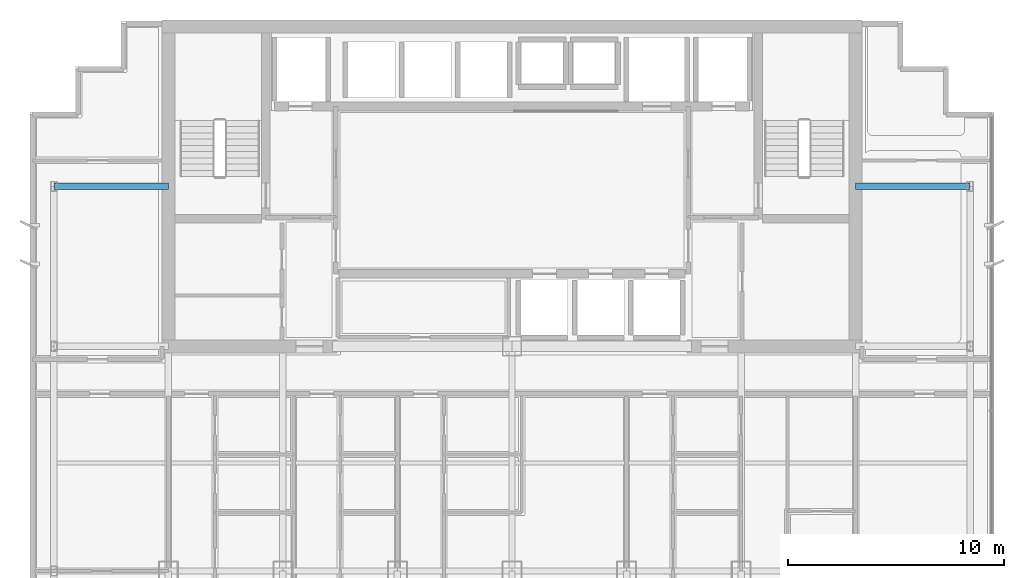
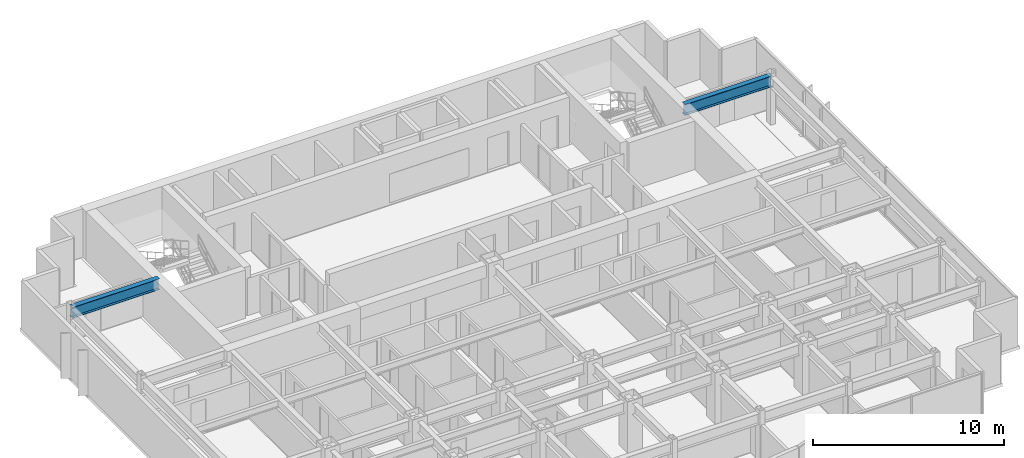
# One storey, part 5 of 13: 2 beams.
"""IFC4 building model written with IfcOpenShell, lengths in metres."""

from ifc_helpers import new_model, si_unit, direction, frame, origin, origin_2d, place, context, subcontext, project, spatial, i_section, extrude, material, material_profile, profile_set, type_object, element, save


model = new_model("IFC4")

# Units and contexts
model_context = context("Model", 3, precision=1e-05, world=origin(), true_north=direction((0.0, 1.0)))
body_context = subcontext(model_context, "Body", "Model", "MODEL_VIEW")
ifc_project = project(units=[si_unit("LENGTHUNIT", "METRE"), si_unit("AREAUNIT", "SQUARE_METRE"), si_unit("VOLUMEUNIT", "CUBIC_METRE"), si_unit("PLANEANGLEUNIT", "RADIAN"), si_unit("MASSUNIT", "GRAM", prefix="KILO")], contexts=[model_context])

# Site, building, storey
site_placement = place(None, origin())
site = spatial("IfcSite", under=ifc_project, at=site_placement, CompositionType="ELEMENT")
building_placement = place(site_placement, origin())
building = spatial("IfcBuilding", under=site, at=building_placement, Name="Qianlan Lanfeng Residences", CompositionType="ELEMENT")
storey_placement = place(building_placement, frame((0.0, 0.0, 139.199951171875)))
storey = spatial("IfcBuildingStorey", under=building, at=storey_placement, Name="L37", CompositionType="ELEMENT", Elevation=139.199951171875)

# Beams
ifc_material = material(Name="Steel SN490B", Category="steel")
ifc_material_profile = material_profile(ifc_material, i_section(OverallWidth=0.300048828125, OverallDepth=0.699951171875, WebThickness=0.012939453125, FlangeThickness=0.02392578125, at=origin_2d()), Name="H 700x300x13x24")
ifc_profile_set = profile_set([ifc_material_profile], Name="Steel SN490B")
beam_type = type_object("IfcBeamType", Name="G-750", PredefinedType="BEAM", material=ifc_profile_set)
for number, where, z_axis, x_axis, name in (
    (1, (5.300048828125, 32.60009765625, 2.75), (1.0, 0.0, 0.0), (0.0, 1.0, 0.0), "Structural beam G-750"),
    (2, (42.39990234375, 32.60009765625, 2.75), (1.0, 0.0, 0.0), (0.0, 1.0, 0.0), "Structural beam G-750"),
):
    element("IfcBeam", number, at=place(storey_placement, frame(where, z_axis=z_axis, x_axis=x_axis)), inside=storey, type_object=beam_type, Name=name, PredefinedType="BEAM", context=body_context, shape_type="SweptSolid", body=[
        extrude(i_section(OverallWidth=0.300048828125, OverallDepth=0.699951171875, WebThickness=0.012939453125, FlangeThickness=0.02392578125, at=origin_2d()), origin(), (0.0, 0.0, 1.0), 5.300048828125),
    ])

save(model, "model.ifc")
